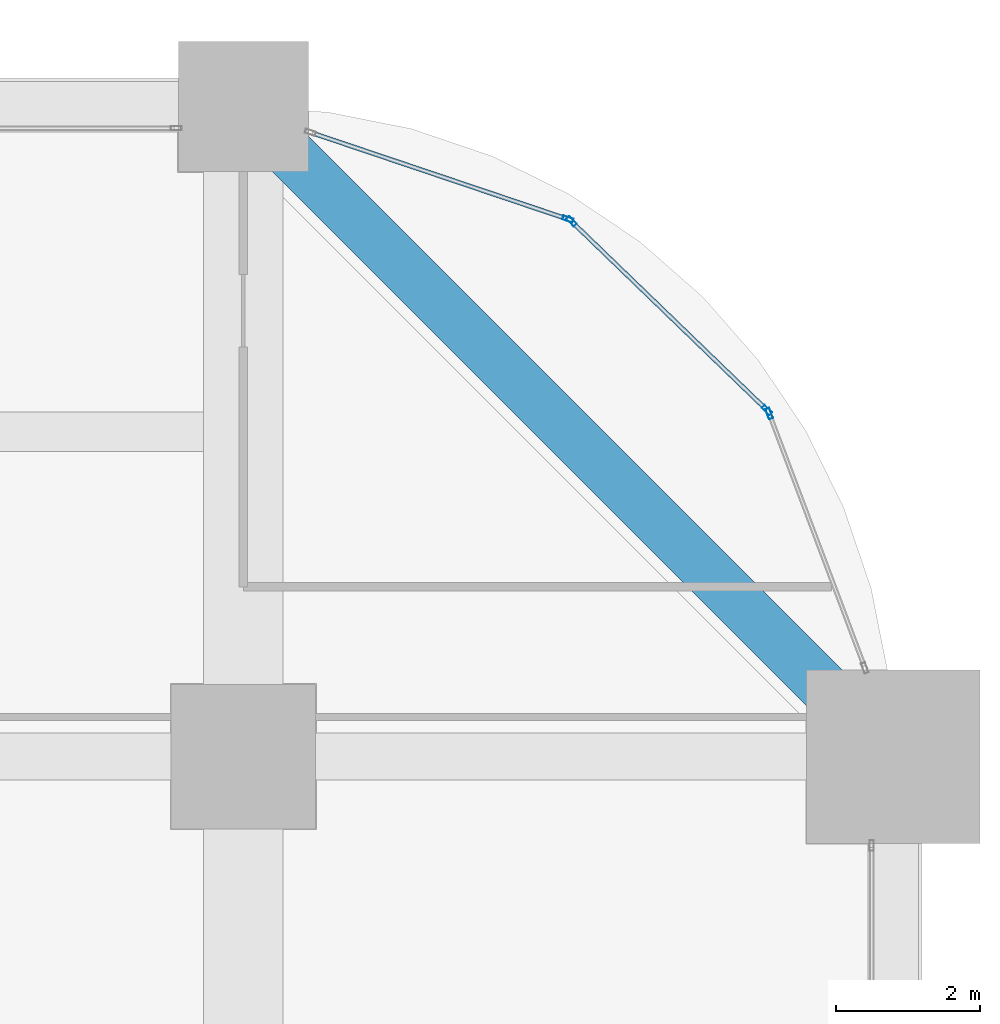
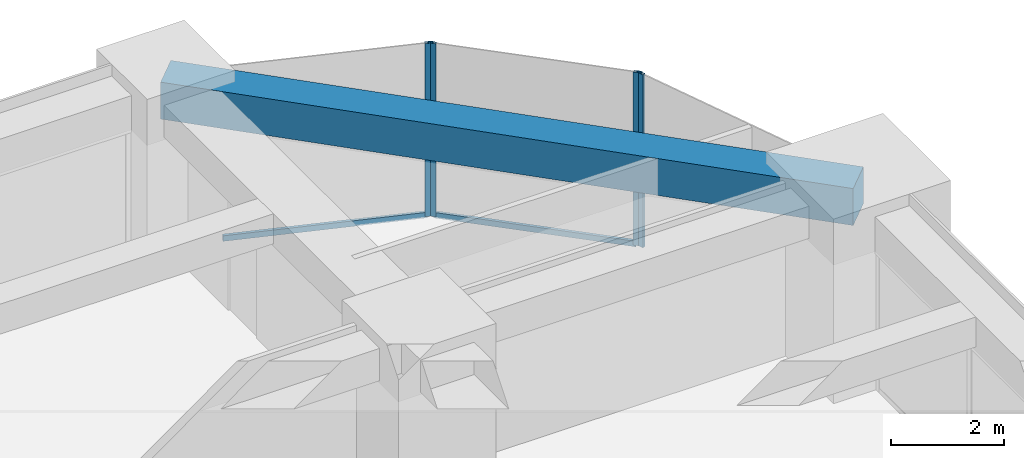
# One storey, part 34 of 41: 6 members, 1 beam, 3 elements without a shape of their own.
"""IFC4 building model written with IfcOpenShell, lengths in metres."""

from ifc_helpers import new_model, si_unit, direction, frame, origin, origin_2d, place, context, subcontext, project, spatial, rectangle, hollow_rectangle, extrude, material, material_profile, profile_set, type_object, element, aggregate, save


model = new_model("IFC4")

# Units and contexts
model_context = context("Model", 3, precision=1e-05, world=origin(), true_north=direction((0.0, 1.0)))
body_context = subcontext(model_context, "Body", "Model", "MODEL_VIEW")
ifc_project = project(units=[si_unit("LENGTHUNIT", "METRE"), si_unit("AREAUNIT", "SQUARE_METRE"), si_unit("VOLUMEUNIT", "CUBIC_METRE"), si_unit("PLANEANGLEUNIT", "RADIAN"), si_unit("MASSUNIT", "GRAM", prefix="KILO")], contexts=[model_context])

# Site, building, storey
site_placement = place(None, origin())
site = spatial("IfcSite", under=ifc_project, at=site_placement, CompositionType="ELEMENT")
building_placement = place(site_placement, origin())
building = spatial("IfcBuilding", under=site, at=building_placement, Name="Zorevar Civic Tower", CompositionType="ELEMENT")
storey_placement = place(building_placement, frame((0.0, 0.0, 97.0)))
storey = spatial("IfcBuildingStorey", under=building, at=storey_placement, Name="L23", CompositionType="ELEMENT", Elevation=97.0)

# Curtain wall, member
ifc_material_1 = material(Name="Dark grey solar-control glass in black aluminium frame", Category="aluminium")
curtain_wall_type = type_object("IfcCurtainWallType", Name="Curtain wall CW3 mid zone", PredefinedType="NOTDEFINED", material=ifc_material_1)
curtain_wall_1_placement = place(storey_placement, origin())
curtain_wall_1 = element("IfcCurtainWall", 1, at=curtain_wall_1_placement, inside=storey, type_object=curtain_wall_type, Name="CW3 L23", PredefinedType="NOTDEFINED")
ifc_material_2 = material(Name="Aluminium, black anodised", Category="aluminium")
ifc_material_profile_1 = material_profile(ifc_material_2, hollow_rectangle(XDim=0.06005859375, YDim=0.14990234375, WallThickness=0.00390625, at=origin_2d()), Name="AL 150x60x4")
ifc_profile_set_1 = profile_set([ifc_material_profile_1], Name="Aluminium, black anodised")
member_type_1 = type_object("IfcMemberType", Name="CW3 mullion AL 150x60x4", PredefinedType="MULLION", material=ifc_profile_set_1)
member_1_placement = place(storey_placement, frame((61.281494140625, 40.749267578125, 0.0), z_axis=(0.0, 0.0, 1.0), x_axis=(-0.935950528564, -0.352131520999, 0.0)))
member_1 = element("IfcMember", 2, at=member_1_placement, type_object=member_type_1, Name="CW3 mullion 2", PredefinedType="MULLION", context=body_context, shape_type="SweptSolid", body=[
    extrude(hollow_rectangle(XDim=0.06005859375, YDim=0.14990234375, WallThickness=0.00390625, at=origin_2d()), origin(), (0.0, 0.0, 1.0), 3.75),
])
aggregate(curtain_wall_1, [member_1])

# Curtain wall, members
curtain_wall_2_placement = place(storey_placement, origin())
curtain_wall_2 = element("IfcCurtainWall", 3, at=curtain_wall_2_placement, inside=storey, type_object=curtain_wall_type, Name="CW3 L23", PredefinedType="NOTDEFINED")
member_2_placement = place(storey_placement, frame((61.249267578125, 40.798095703125, 0.0), z_axis=(0.0, 0.0, 1.0), x_axis=(-0.694719089155, -0.719281160023, 0.0)))
member_2 = element("IfcMember", 4, at=member_2_placement, type_object=member_type_1, Name="CW3 mullion 1", PredefinedType="MULLION", context=body_context, shape_type="SweptSolid", body=[
    extrude(hollow_rectangle(XDim=0.06005859375, YDim=0.14990234375, WallThickness=0.00390625, at=origin_2d()), origin(), (0.0, 0.0, 1.0), 3.75),
])
member_3_placement = place(storey_placement, frame((58.54345703125, 43.41162109375, 0.0), z_axis=(0.0, 0.0, 1.0), x_axis=(-0.694719089155, -0.719281160023, 0.0)))
member_3 = element("IfcMember", 5, at=member_3_placement, type_object=member_type_1, Name="CW3 mullion 2", PredefinedType="MULLION", context=body_context, shape_type="SweptSolid", body=[
    extrude(hollow_rectangle(XDim=0.06005859375, YDim=0.14990234375, WallThickness=0.00390625, at=origin_2d()), origin(), (0.0, 0.0, 1.0), 3.75),
])

# Curtain wall, member
curtain_wall_3_placement = place(storey_placement, origin())
curtain_wall_3 = element("IfcCurtainWall", 6, at=curtain_wall_3_placement, inside=storey, type_object=curtain_wall_type, Name="CW3 L23", PredefinedType="NOTDEFINED")
member_4_placement = place(storey_placement, frame((58.493408203125, 43.442138671875, 0.0), z_axis=(0.0, 0.0, 1.0), x_axis=(-0.319412525043, -0.947615765406, 0.0)))
member_4 = element("IfcMember", 7, at=member_4_placement, type_object=member_type_1, Name="CW3 mullion 1", PredefinedType="MULLION", context=body_context, shape_type="SweptSolid", body=[
    extrude(hollow_rectangle(XDim=0.06005859375, YDim=0.14990234375, WallThickness=0.00390625, at=origin_2d()), origin(), (0.0, 0.0, 1.0), 3.75),
])

# Member
ifc_material_3 = material(Name="Aluminium, black anodised", Category="aluminium")
ifc_material_profile_2 = material_profile(ifc_material_3, hollow_rectangle(XDim=0.06005859375, YDim=0.1201171875, WallThickness=0.0029296875, at=origin_2d()), Name="AL 120x60x3")
ifc_profile_set_2 = profile_set([ifc_material_profile_2], Name="Aluminium, black anodised")
member_type_2 = type_object("IfcMemberType", Name="CW3 transom AL 120x60x3", PredefinedType="USERDEFINED", material=ifc_profile_set_2)
member_5_placement = place(storey_placement, frame((61.227783203125, 40.81884765625, 0.030029296875), z_axis=(-0.719266228526, 0.694734548228, 0.0), x_axis=(-0.694734548228, -0.719266228526, 0.0)))
member_5 = element("IfcMember", 8, at=member_5_placement, type_object=member_type_2, Name="CW3 sill transom", ObjectType="TRANSOM", PredefinedType="USERDEFINED", context=body_context, shape_type="SweptSolid", body=[
    extrude(hollow_rectangle(XDim=0.06005859375, YDim=0.1201171875, WallThickness=0.0029296875, at=origin_2d()), origin(), (0.0, 0.0, 1.0), 3.7021484375),
])

aggregate(curtain_wall_2, [member_2, member_3, member_5])

member_6_placement = place(storey_placement, frame((58.465087890625, 43.45166015625, 0.030029296875), z_axis=(-0.9476295577, 0.319371603893, 0.0), x_axis=(-0.319371603893, -0.9476295577, 0.0)))
member_6 = element("IfcMember", 9, at=member_6_placement, type_object=member_type_2, Name="CW3 sill transom", ObjectType="TRANSOM", PredefinedType="USERDEFINED", context=body_context, shape_type="SweptSolid", body=[
    extrude(hollow_rectangle(XDim=0.06005859375, YDim=0.1201171875, WallThickness=0.0029296875, at=origin_2d()), origin(), (0.0, 0.0, 1.0), 3.7021484375),
])

aggregate(curtain_wall_3, [member_4, member_6])

# Beam
ifc_material_4 = material(Name="Concrete C50/60", Category="concrete")
ifc_material_profile_3 = material_profile(ifc_material_4, rectangle(XDim=0.699951171875, YDim=0.800048828125, at=origin_2d()), Name="RC 700x800")
ifc_profile_set_3 = profile_set([ifc_material_profile_3], Name="Concrete C50/60")
beam_type = type_object("IfcBeamType", Name="Edge beam RC 700x800", PredefinedType="SPANDREL", material=ifc_profile_set_3)
beam_placement = place(storey_placement, frame((63.0, 36.0, 3.35009765625), z_axis=(-0.707106781187, 0.707106781187, 0.0), x_axis=(-0.707106781187, -0.707106781187, 0.0)))
element("IfcBeam", 10, at=beam_placement, inside=storey, type_object=beam_type, Name="Corner edge beam L24", PredefinedType="SPANDREL", context=body_context, shape_type="SweptSolid", body=[
    extrude(rectangle(XDim=0.699951171875, YDim=0.800048828125, at=origin_2d()), origin(), (0.0, 0.0, 1.0), 12.72802734375),
])

save(model, "model.ifc")
